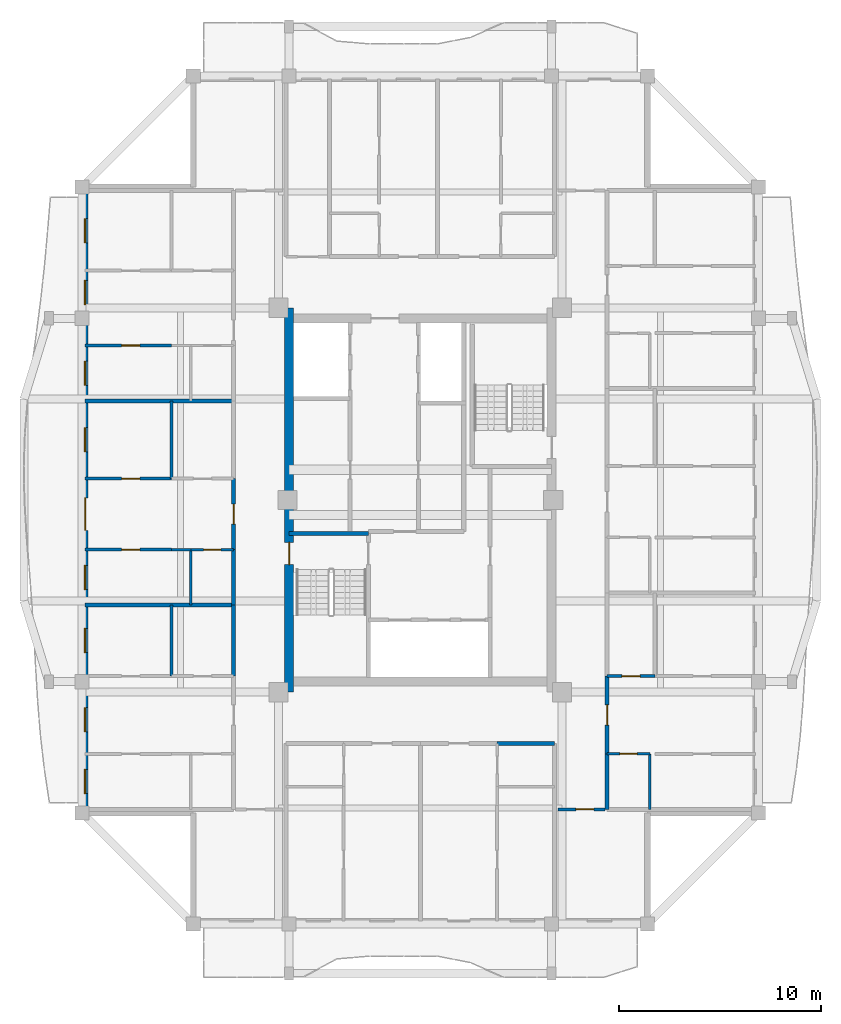
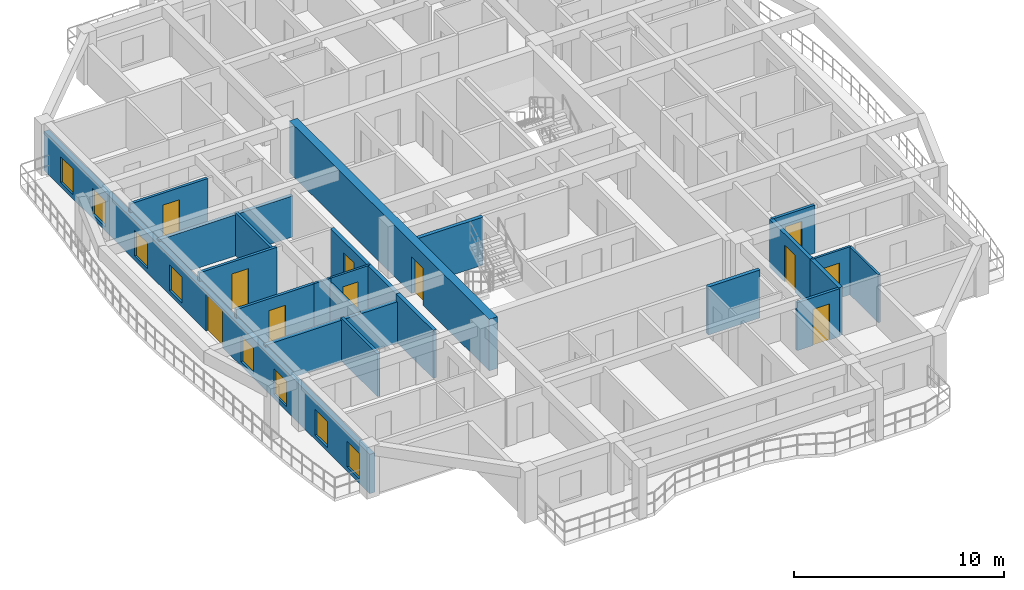
# One storey, part 3 of 13: 23 walls, 11 doors, 8 windows, 19 openings.
"""IFC4 building model written with IfcOpenShell, lengths in metres."""

from ifc_helpers import new_model, si_unit, direction, frame, frame_2d, origin, place, context, subcontext, project, spatial, rectangle, extrude, source, transform, mapped, material, layer, layer_set, type_object, element, fill, save


model = new_model("IFC4")

# Units and contexts
model_context = context("Model", 3, precision=1e-05, world=origin(), true_north=direction((0.0, 1.0)))
body_context = subcontext(model_context, "Body", "Model", "MODEL_VIEW")
ifc_project = project(units=[si_unit("LENGTHUNIT", "METRE"), si_unit("AREAUNIT", "SQUARE_METRE"), si_unit("VOLUMEUNIT", "CUBIC_METRE"), si_unit("PLANEANGLEUNIT", "RADIAN"), si_unit("MASSUNIT", "GRAM", prefix="KILO")], contexts=[model_context])

# Site, building, storey
site_placement = place(None, origin())
site = spatial("IfcSite", under=ifc_project, at=site_placement, CompositionType="ELEMENT")
building_placement = place(site_placement, origin())
building = spatial("IfcBuilding", under=site, at=building_placement, Name="Saelheon Loggia Tower", CompositionType="ELEMENT")
storey_placement = place(building_placement, frame((0.0, 0.0, 223.199951171875)))
storey = spatial("IfcBuildingStorey", under=building, at=storey_placement, Name="L69", CompositionType="ELEMENT", Elevation=223.199951171875)

# Wall, opening, door
ifc_material_1 = material(Name="Concrete C45/55", Category="concrete")
ifc_layer_1 = layer(ifc_material_1, 0.449951171875)
ifc_layer_set_1 = layer_set([ifc_layer_1], Name="Concrete C45/55")
wall_type_1 = type_object("IfcWallType", Name="Wall_CoreShear_450", PredefinedType="SHEAR", material=ifc_layer_set_1)
wall_1_placement = place(storey_placement, frame((31.5, 17.47998046875, 0.0), z_axis=(0.0, 0.0, 1.0), x_axis=(0.0, 1.0, 0.0)))
wall_1 = element("IfcWall", 1, at=wall_1_placement, inside=storey, type_object=wall_type_1, Name="L69 Core Shear Wall West", PredefinedType="SHEAR", context=body_context, shape_type="SweptSolid", body=[
    extrude(rectangle(XDim=19.0400390625, YDim=0.449951171875, at=frame_2d((9.52001953125, 0.0))), origin(), (0.0, 0.0, 1.0), 3.0),
])
opening_1_placement = place(wall_1_placement, frame((6.320068359375, 0.0, 0.0)))
opening_1 = element("IfcOpeningElement", 2, at=opening_1_placement, cuts=wall_1, Name="Opening D-FD2", PredefinedType="OPENING", context=body_context, shape_type="SweptSolid", body=[
    extrude(rectangle(XDim=1.10009765625, YDim=2.14990234375, at=frame_2d((0.550048828125, 1.074951171875))), frame((0.0, 0.237060546875, 0.0), z_axis=(0.0, -1.0, 0.0), x_axis=(1.0, 0.0, 0.0)), (0.0, 0.0, 1.0), 0.473876953125),
])
ifc_material_2 = material(Name="Galvanised Steel Fire Door", Category="steel")
door_type_1 = type_object("IfcDoorType", Name="Door_Fire_FD60_1100", OperationType="NOTDEFINED", PredefinedType="DOOR", material=ifc_material_2)
shared_shape_1 = source(origin(), body_context, "Body", "SweptSolid", [
    extrude(rectangle(XDim=1.10009765625, YDim=2.14990234375, at=frame_2d((0.550048828125, 1.074951171875))), frame((0.0, 0.02490234375, 0.0), z_axis=(0.0, -1.0, 0.0), x_axis=(1.0, 0.0, 0.0)), (0.0, 0.0, 1.0), 0.050048828125),
])
door_1_placement = place(opening_1_placement, origin())
door_1 = element("IfcDoor", 3, at=door_1_placement, inside=storey, type_object=door_type_1, Name="L69 Stair ST1 Corridor Door", OperationType="SINGLE_SWING_LEFT", OverallHeight=2.14990234375, OverallWidth=1.10009765625, PredefinedType="DOOR", context=body_context, shape_type="MappedRepresentation", body=[
    mapped(shared_shape_1, transform((0.0, 0.0, 0.0), scale=1.0)),
])
fill(opening_1, door_1)

# Wall, openings, windows, door
ifc_material_3 = material(Name="Architectural Precast Concrete C40/50", Category="concrete")
ifc_layer_2 = layer(ifc_material_3, 0.280029296875)
ifc_layer_set_2 = layer_set([ifc_layer_2], Name="Architectural Precast Concrete C40/50")
wall_type_2 = type_object("IfcWallType", Name="Wall_Ext_Loggia_280", PredefinedType="SOLIDWALL", material=ifc_layer_set_2)
wall_2_placement = place(storey_placement, frame((21.389892578125, 11.5, 0.0), z_axis=(0.0, 0.0, 1.0), x_axis=(0.0, 1.0, 0.0)))
wall_2 = element("IfcWall", 4, at=wall_2_placement, inside=storey, type_object=wall_type_2, Name="L69 West Loggia Inner Wall", PredefinedType="SOLIDWALL", context=body_context, shape_type="SweptSolid", body=[
    extrude(rectangle(XDim=31.0, YDim=0.280029296875, at=frame_2d((15.5, 0.0))), origin(), (0.0, 0.0, 1.0), 2.280029296875),
])
opening_2_placement = place(wall_2_placement, frame((0.9599609375, 0.0, 0.25)))
opening_2 = element("IfcOpeningElement", 5, at=opening_2_placement, cuts=wall_2, Name="Opening WN-03", PredefinedType="OPENING", context=body_context, shape_type="SweptSolid", body=[
    extrude(rectangle(XDim=1.199951171875, YDim=1.5, at=frame_2d((0.60009765625, 0.75))), frame((0.0, 0.152099609375, 0.0), z_axis=(0.0, -1.0, 0.0), x_axis=(1.0, 0.0, 0.0)), (0.0, 0.0, 1.0), 0.303955078125),
])
opening_3_placement = place(wall_2_placement, frame((4.02001953125, 0.0, 0.25)))
opening_3 = element("IfcOpeningElement", 6, at=opening_3_placement, cuts=wall_2, Name="Opening WN-03", PredefinedType="OPENING", context=body_context, shape_type="SweptSolid", body=[
    extrude(rectangle(XDim=1.199951171875, YDim=1.5, at=frame_2d((0.60009765625, 0.75))), frame((0.0, 0.152099609375, 0.0), z_axis=(0.0, -1.0, 0.0), x_axis=(1.0, 0.0, 0.0)), (0.0, 0.0, 1.0), 0.303955078125),
])
opening_4_placement = place(wall_2_placement, frame((7.935546875, 0.0, 0.25)))
opening_4 = element("IfcOpeningElement", 7, at=opening_4_placement, cuts=wall_2, Name="Opening WN-03", PredefinedType="OPENING", context=body_context, shape_type="SweptSolid", body=[
    extrude(rectangle(XDim=1.199951171875, YDim=1.5, at=frame_2d((0.60009765625, 0.75))), frame((0.0, 0.152099609375, 0.0), z_axis=(0.0, -1.0, 0.0), x_axis=(1.0, 0.0, 0.0)), (0.0, 0.0, 1.0), 0.303955078125),
])
opening_5_placement = place(wall_2_placement, frame((11.066162109375, 0.0, 0.25)))
opening_5 = element("IfcOpeningElement", 8, at=opening_5_placement, cuts=wall_2, Name="Opening WN-03", PredefinedType="OPENING", context=body_context, shape_type="SweptSolid", body=[
    extrude(rectangle(XDim=1.199951171875, YDim=1.5, at=frame_2d((0.60009765625, 0.75))), frame((0.0, 0.152099609375, 0.0), z_axis=(0.0, -1.0, 0.0), x_axis=(1.0, 0.0, 0.0)), (0.0, 0.0, 1.0), 0.303955078125),
])
opening_6_placement = place(wall_2_placement, frame((14.00048828125, 0.0, 0.0)))
opening_6 = element("IfcOpeningElement", 9, at=opening_6_placement, cuts=wall_2, Name="Opening DLG-1", PredefinedType="OPENING", context=body_context, shape_type="SweptSolid", body=[
    extrude(rectangle(XDim=1.60009765625, YDim=2.14990234375, at=frame_2d((0.800048828125, 1.074951171875))), frame((0.0, 0.152099609375, 0.0), z_axis=(0.0, -1.0, 0.0), x_axis=(1.0, 0.0, 0.0)), (0.0, 0.0, 1.0), 0.303955078125),
])
opening_7_placement = place(wall_2_placement, frame((17.881103515625, 0.0, 0.25)))
opening_7 = element("IfcOpeningElement", 10, at=opening_7_placement, cuts=wall_2, Name="Opening WN-03", PredefinedType="OPENING", context=body_context, shape_type="SweptSolid", body=[
    extrude(rectangle(XDim=1.199951171875, YDim=1.5, at=frame_2d((0.60009765625, 0.75))), frame((0.0, 0.152099609375, 0.0), z_axis=(0.0, -1.0, 0.0), x_axis=(1.0, 0.0, 0.0)), (0.0, 0.0, 1.0), 0.303955078125),
])
opening_8_placement = place(wall_2_placement, frame((21.177490234375, 0.0, 0.25)))
opening_8 = element("IfcOpeningElement", 11, at=opening_8_placement, cuts=wall_2, Name="Opening WN-03", PredefinedType="OPENING", context=body_context, shape_type="SweptSolid", body=[
    extrude(rectangle(XDim=1.199951171875, YDim=1.5, at=frame_2d((0.60009765625, 0.75))), frame((0.0, 0.152099609375, 0.0), z_axis=(0.0, -1.0, 0.0), x_axis=(1.0, 0.0, 0.0)), (0.0, 0.0, 1.0), 0.303955078125),
])
opening_9_placement = place(wall_2_placement, frame((25.175537109375, 0.0, 0.25)))
opening_9 = element("IfcOpeningElement", 12, at=opening_9_placement, cuts=wall_2, Name="Opening WN-03", PredefinedType="OPENING", context=body_context, shape_type="SweptSolid", body=[
    extrude(rectangle(XDim=1.199951171875, YDim=1.5, at=frame_2d((0.60009765625, 0.75))), frame((0.0, 0.152099609375, 0.0), z_axis=(0.0, -1.0, 0.0), x_axis=(1.0, 0.0, 0.0)), (0.0, 0.0, 1.0), 0.303955078125),
])
opening_10_placement = place(wall_2_placement, frame((28.235595703125, 0.0, 0.25)))
opening_10 = element("IfcOpeningElement", 13, at=opening_10_placement, cuts=wall_2, Name="Opening WN-03", PredefinedType="OPENING", context=body_context, shape_type="SweptSolid", body=[
    extrude(rectangle(XDim=1.199951171875, YDim=1.5, at=frame_2d((0.60009765625, 0.75))), frame((0.0, 0.152099609375, 0.0), z_axis=(0.0, -1.0, 0.0), x_axis=(1.0, 0.0, 0.0)), (0.0, 0.0, 1.0), 0.303955078125),
])
ifc_material_4 = material(Name="Thermal-Break Aluminium and Triple Low-E Glass", Category="aluminium")
window_type = type_object("IfcWindowType", Name="Win_Bedroom_1200x1500", PartitioningType="SINGLE_PANEL", PredefinedType="WINDOW", material=ifc_material_4)
shared_shape_2 = source(origin(), body_context, "Body", "SweptSolid", [
    extrude(rectangle(XDim=1.199951171875, YDim=1.5, at=frame_2d((0.60009765625, 0.75))), frame((0.0, 0.030029296875, 0.0), z_axis=(0.0, -1.0, 0.0), x_axis=(1.0, 0.0, 0.0)), (0.0, 0.0, 1.0), 0.06005859375),
])
window_1_placement = place(opening_2_placement, origin())
window_1 = element("IfcWindow", 14, at=window_1_placement, inside=storey, type_object=window_type, Name="L69 W Dwelling Window 1", OverallHeight=1.5, OverallWidth=1.199951171875, PartitioningType="SINGLE_PANEL", PredefinedType="WINDOW", context=body_context, shape_type="MappedRepresentation", body=[
    mapped(shared_shape_2, transform((0.0, 0.0, 0.0), scale=1.0)),
])
fill(opening_2, window_1)
window_2_placement = place(opening_3_placement, origin())
window_2 = element("IfcWindow", 15, at=window_2_placement, inside=storey, type_object=window_type, Name="L69 W Dwelling Window 2", OverallHeight=1.5, OverallWidth=1.199951171875, PartitioningType="SINGLE_PANEL", PredefinedType="WINDOW", context=body_context, shape_type="MappedRepresentation", body=[
    mapped(shared_shape_2, transform((0.0, 0.0, 0.0), scale=1.0)),
])
fill(opening_3, window_2)
window_3_placement = place(opening_4_placement, origin())
window_3 = element("IfcWindow", 16, at=window_3_placement, inside=storey, type_object=window_type, Name="L69 W Dwelling Window 3", OverallHeight=1.5, OverallWidth=1.199951171875, PartitioningType="SINGLE_PANEL", PredefinedType="WINDOW", context=body_context, shape_type="MappedRepresentation", body=[
    mapped(shared_shape_2, transform((0.0, 0.0, 0.0), scale=1.0)),
])
fill(opening_4, window_3)
window_4_placement = place(opening_5_placement, origin())
window_4 = element("IfcWindow", 17, at=window_4_placement, inside=storey, type_object=window_type, Name="L69 W Dwelling Window 4", OverallHeight=1.5, OverallWidth=1.199951171875, PartitioningType="SINGLE_PANEL", PredefinedType="WINDOW", context=body_context, shape_type="MappedRepresentation", body=[
    mapped(shared_shape_2, transform((0.0, 0.0, 0.0), scale=1.0)),
])
fill(opening_5, window_4)
window_5_placement = place(opening_7_placement, origin())
window_5 = element("IfcWindow", 18, at=window_5_placement, inside=storey, type_object=window_type, Name="L69 W Dwelling Window 6", OverallHeight=1.5, OverallWidth=1.199951171875, PartitioningType="SINGLE_PANEL", PredefinedType="WINDOW", context=body_context, shape_type="MappedRepresentation", body=[
    mapped(shared_shape_2, transform((0.0, 0.0, 0.0), scale=1.0)),
])
fill(opening_7, window_5)
window_6_placement = place(opening_8_placement, origin())
window_6 = element("IfcWindow", 19, at=window_6_placement, inside=storey, type_object=window_type, Name="L69 W Dwelling Window 7", OverallHeight=1.5, OverallWidth=1.199951171875, PartitioningType="SINGLE_PANEL", PredefinedType="WINDOW", context=body_context, shape_type="MappedRepresentation", body=[
    mapped(shared_shape_2, transform((0.0, 0.0, 0.0), scale=1.0)),
])
fill(opening_8, window_6)
window_7_placement = place(opening_9_placement, origin())
window_7 = element("IfcWindow", 20, at=window_7_placement, inside=storey, type_object=window_type, Name="L69 W Dwelling Window 8", OverallHeight=1.5, OverallWidth=1.199951171875, PartitioningType="SINGLE_PANEL", PredefinedType="WINDOW", context=body_context, shape_type="MappedRepresentation", body=[
    mapped(shared_shape_2, transform((0.0, 0.0, 0.0), scale=1.0)),
])
fill(opening_9, window_7)
window_8_placement = place(opening_10_placement, origin())
window_8 = element("IfcWindow", 21, at=window_8_placement, inside=storey, type_object=window_type, Name="L69 W Dwelling Window 9", OverallHeight=1.5, OverallWidth=1.199951171875, PartitioningType="SINGLE_PANEL", PredefinedType="WINDOW", context=body_context, shape_type="MappedRepresentation", body=[
    mapped(shared_shape_2, transform((0.0, 0.0, 0.0), scale=1.0)),
])
fill(opening_10, window_8)
ifc_material_5 = material(Name="Thermal-Break Aluminium Sliding Glazed Door", Category="aluminium")
door_type_2 = type_object("IfcDoorType", Name="Door_LoggiaSlide_1600", OperationType="SLIDING_TO_LEFT", PredefinedType="DOOR", material=ifc_material_5)
shared_shape_3 = source(origin(), body_context, "Body", "SweptSolid", [
    extrude(rectangle(XDim=1.60009765625, YDim=2.14990234375, at=frame_2d((0.800048828125, 1.074951171875))), frame((0.0, 0.02490234375, 0.0), z_axis=(0.0, -1.0, 0.0), x_axis=(1.0, 0.0, 0.0)), (0.0, 0.0, 1.0), 0.050048828125),
])
door_2_placement = place(opening_6_placement, origin())
door_2 = element("IfcDoor", 22, at=door_2_placement, inside=storey, type_object=door_type_2, Name="L69 W Loggia Access Door", OperationType="SLIDING_TO_LEFT", OverallHeight=2.14990234375, OverallWidth=1.60009765625, PredefinedType="DOOR", context=body_context, shape_type="MappedRepresentation", body=[
    mapped(shared_shape_3, transform((0.0, 0.0, 0.0), scale=1.0)),
])
fill(opening_6, door_2)

# Wall, opening, door
ifc_material_6 = material(Name="Lightweight Autoclaved Aerated Concrete Block and Acoustic Gypsum", Category="concrete")
ifc_layer_3 = layer(ifc_material_6, 0.14990234375)
ifc_layer_set_3 = layer_set([ifc_layer_3], Name="Lightweight Autoclaved Aerated Concrete Block and Acoustic Gypsum")
wall_type_3 = type_object("IfcWallType", Name="Wall_Part_150", PredefinedType="PARTITIONING", material=ifc_layer_set_3)
wall_3_placement = place(storey_placement, frame((44.820068359375, 11.679931640625, 0.0), z_axis=(0.0, 0.0, 1.0), x_axis=(1.0, 0.0, 0.0)))
wall_3 = element("IfcWall", 23, at=wall_3_placement, inside=storey, type_object=wall_type_3, Name="PW-L69-CSE-H", PredefinedType="PARTITIONING", context=body_context, shape_type="SweptSolid", body=[
    extrude(rectangle(XDim=2.329833984375, YDim=0.14990234375, at=frame_2d((1.1650390625, 0.0))), origin(), (0.0, 0.0, 1.0), 2.7900390625),
])
opening_11_placement = place(wall_3_placement, frame((0.8798828125, 0.0, 0.0)))
opening_11 = element("IfcOpeningElement", 24, at=opening_11_placement, cuts=wall_3, Name="Opening D-IN2", PredefinedType="OPENING", context=body_context, shape_type="SweptSolid", body=[
    extrude(rectangle(XDim=0.89990234375, YDim=2.10009765625, at=frame_2d((0.449951171875, 1.050048828125))), frame((0.0, 0.0869140625, 0.0), z_axis=(0.0, -1.0, 0.0), x_axis=(1.0, 0.0, 0.0)), (0.0, 0.0, 1.0), 0.173828125),
])
ifc_material_7 = material(Name="Engineered Oak Flush Door", Category="timber")
door_type_3 = type_object("IfcDoorType", Name="Door_Int_900", OperationType="NOTDEFINED", PredefinedType="DOOR", material=ifc_material_7)
shared_shape_4 = source(origin(), body_context, "Body", "SweptSolid", [
    extrude(rectangle(XDim=0.89990234375, YDim=2.10009765625, at=frame_2d((0.449951171875, 1.050048828125))), frame((0.0, 0.02490234375, 0.0), z_axis=(0.0, -1.0, 0.0), x_axis=(1.0, 0.0, 0.0)), (0.0, 0.0, 1.0), 0.050048828125),
])
door_3_placement = place(opening_11_placement, origin())
door_3 = element("IfcDoor", 25, at=door_3_placement, inside=storey, type_object=door_type_3, Name="L69 Corner Reading Room SE Door", OperationType="SINGLE_SWING_RIGHT", OverallHeight=2.10009765625, OverallWidth=0.89990234375, PredefinedType="DOOR", context=body_context, shape_type="MappedRepresentation", body=[
    mapped(shared_shape_4, transform((0.0, 0.0, 0.0), scale=1.0)),
])
fill(opening_11, door_3)

# Walls
wall_4_placement = place(storey_placement, frame((25.669921875, 18.280029296875, 0.0), z_axis=(0.0, 0.0, 1.0), x_axis=(0.0, 1.0, 0.0)))
element("IfcWall", 26, at=wall_4_placement, inside=storey, type_object=wall_type_3, Name="L69 W Partition V07", PredefinedType="PARTITIONING", context=body_context, shape_type="SweptSolid", body=[
    extrude(rectangle(XDim=3.51123046875, YDim=0.14990234375, at=frame_2d((1.755615234375, 0.0))), origin(), (0.0, 0.0, 1.0), 2.489990234375),
])
wall_5_placement = place(storey_placement, frame((25.669921875, 28.06005859375, 0.0), z_axis=(0.0, 0.0, 1.0), x_axis=(0.0, 1.0, 0.0)))
element("IfcWall", 27, at=wall_5_placement, inside=storey, type_object=wall_type_3, Name="L69 W Partition V18", PredefinedType="PARTITIONING", context=body_context, shape_type="SweptSolid", body=[
    extrude(rectangle(XDim=3.84228515625, YDim=0.14990234375, at=frame_2d((1.921142578125, 0.0))), origin(), (0.0, 0.0, 1.0), 2.489990234375),
])

# Wall, opening, door
wall_6_placement = place(storey_placement, frame((25.669921875, 24.541259765625, 0.0), z_axis=(0.0, 0.0, 1.0), x_axis=(-1.0, 0.0, 0.0)))
wall_6 = element("IfcWall", 28, at=wall_6_placement, inside=storey, type_object=wall_type_3, Name="L69 W Partition U21", PredefinedType="PARTITIONING", context=body_context, shape_type="SweptSolid", body=[
    extrude(rectangle(XDim=4.27001953125, YDim=0.14990234375, at=frame_2d((2.135009765625, 0.0))), origin(), (0.0, 0.0, 1.0), 2.7900390625),
])
opening_12_placement = place(wall_6_placement, frame((1.564697265625, 0.0, 0.0)))
opening_12 = element("IfcOpeningElement", 29, at=opening_12_placement, cuts=wall_6, Name="Opening D-IN2", PredefinedType="OPENING", context=body_context, shape_type="SweptSolid", body=[
    extrude(rectangle(XDim=0.89990234375, YDim=2.10009765625, at=frame_2d((0.449951171875, 1.050048828125))), frame((0.0, 0.0869140625, 0.0), z_axis=(0.0, -1.0, 0.0), x_axis=(1.0, 0.0, 0.0)), (0.0, 0.0, 1.0), 0.173828125),
])
door_4_placement = place(opening_12_placement, origin())
door_4 = element("IfcDoor", 30, at=door_4_placement, inside=storey, type_object=door_type_3, Name="Unit U06 Kitchen Door", OperationType="SINGLE_SWING_RIGHT", OverallHeight=2.10009765625, OverallWidth=0.89990234375, PredefinedType="DOOR", context=body_context, shape_type="MappedRepresentation", body=[
    mapped(shared_shape_4, transform((0.0, 0.0, 0.0), scale=1.0)),
])
fill(opening_12, door_4)

wall_7_placement = place(storey_placement, frame((25.669921875, 28.06005859375, 0.0), z_axis=(0.0, 0.0, 1.0), x_axis=(-1.0, 0.0, 0.0)))
wall_7 = element("IfcWall", 31, at=wall_7_placement, inside=storey, type_object=wall_type_3, Name="L69 W Partition U23", PredefinedType="PARTITIONING", context=body_context, shape_type="SweptSolid", body=[
    extrude(rectangle(XDim=4.27001953125, YDim=0.14990234375, at=frame_2d((2.135009765625, 0.0))), origin(), (0.0, 0.0, 1.0), 2.7900390625),
])
opening_13_placement = place(wall_7_placement, frame((1.564697265625, 0.0, 0.0)))
opening_13 = element("IfcOpeningElement", 32, at=opening_13_placement, cuts=wall_7, Name="Opening D-IN2", PredefinedType="OPENING", context=body_context, shape_type="SweptSolid", body=[
    extrude(rectangle(XDim=0.89990234375, YDim=2.10009765625, at=frame_2d((0.449951171875, 1.050048828125))), frame((0.0, 0.0869140625, 0.0), z_axis=(0.0, -1.0, 0.0), x_axis=(1.0, 0.0, 0.0)), (0.0, 0.0, 1.0), 0.173828125),
])
door_5_placement = place(opening_13_placement, origin())
door_5 = element("IfcDoor", 33, at=door_5_placement, inside=storey, type_object=door_type_3, Name="Unit U06 Bedroom 1 Door", OperationType="SINGLE_SWING_RIGHT", OverallHeight=2.10009765625, OverallWidth=0.89990234375, PredefinedType="DOOR", context=body_context, shape_type="MappedRepresentation", body=[
    mapped(shared_shape_4, transform((0.0, 0.0, 0.0), scale=1.0)),
])
fill(opening_13, door_5)

wall_8_placement = place(storey_placement, frame((25.669921875, 34.65234375, 0.0), z_axis=(0.0, 0.0, 1.0), x_axis=(-1.0, 0.0, 0.0)))
wall_8 = element("IfcWall", 34, at=wall_8_placement, inside=storey, type_object=wall_type_3, Name="L69 W Partition U32", PredefinedType="PARTITIONING", context=body_context, shape_type="SweptSolid", body=[
    extrude(rectangle(XDim=4.27001953125, YDim=0.14990234375, at=frame_2d((2.135009765625, 0.0))), origin(), (0.0, 0.0, 1.0), 2.7900390625),
])
opening_14_placement = place(wall_8_placement, frame((1.564697265625, 0.0, 0.0)))
opening_14 = element("IfcOpeningElement", 35, at=opening_14_placement, cuts=wall_8, Name="Opening D-IN2", PredefinedType="OPENING", context=body_context, shape_type="SweptSolid", body=[
    extrude(rectangle(XDim=0.89990234375, YDim=2.10009765625, at=frame_2d((0.449951171875, 1.050048828125))), frame((0.0, 0.0869140625, 0.0), z_axis=(0.0, -1.0, 0.0), x_axis=(1.0, 0.0, 0.0)), (0.0, 0.0, 1.0), 0.173828125),
])
door_6_placement = place(opening_14_placement, origin())
door_6 = element("IfcDoor", 36, at=door_6_placement, inside=storey, type_object=door_type_3, Name="Unit U07 Kitchen Door", OperationType="SINGLE_SWING_LEFT", OverallHeight=2.10009765625, OverallWidth=0.89990234375, PredefinedType="DOOR", context=body_context, shape_type="MappedRepresentation", body=[
    mapped(shared_shape_4, transform((0.0, 0.0, 0.0), scale=1.0)),
])
fill(opening_14, door_6)

wall_9_placement = place(storey_placement, frame((47.25, 18.280029296875, 0.0), z_axis=(0.0, 0.0, 1.0), x_axis=(1.0, 0.0, 0.0)))
wall_9 = element("IfcWall", 37, at=wall_9_placement, inside=storey, type_object=wall_type_3, Name="L69 E Partition U10", PredefinedType="PARTITIONING", context=body_context, shape_type="SweptSolid", body=[
    extrude(rectangle(XDim=2.360107421875, YDim=0.14990234375, at=frame_2d((1.18017578125, 0.0))), origin(), (0.0, 0.0, 1.0), 2.7900390625),
])
opening_15_placement = place(wall_9_placement, frame((0.72998046875, 0.0, 0.0)))
opening_15 = element("IfcOpeningElement", 38, at=opening_15_placement, cuts=wall_9, Name="Opening D-IN2", PredefinedType="OPENING", context=body_context, shape_type="SweptSolid", body=[
    extrude(rectangle(XDim=0.89990234375, YDim=2.10009765625, at=frame_2d((0.449951171875, 1.050048828125))), frame((0.0, 0.0869140625, 0.0), z_axis=(0.0, -1.0, 0.0), x_axis=(1.0, 0.0, 0.0)), (0.0, 0.0, 1.0), 0.173828125),
])
door_7_placement = place(opening_15_placement, origin())
door_7 = element("IfcDoor", 39, at=door_7_placement, inside=storey, type_object=door_type_3, Name="Unit U08 Dressing Closet Door", OperationType="SINGLE_SWING_LEFT", OverallHeight=2.10009765625, OverallWidth=0.89990234375, PredefinedType="DOOR", context=body_context, shape_type="MappedRepresentation", body=[
    mapped(shared_shape_4, transform((0.0, 0.0, 0.0), scale=1.0)),
])
fill(opening_15, door_7)

# Walls
ifc_material_8 = material(Name="Double Acoustic Stud and Fireboard Partition", Category="gypsum")
ifc_layer_4 = layer(ifc_material_8, 0.199951171875)
ifc_layer_set_4 = layer_set([ifc_layer_4], Name="Double Acoustic Stud and Fireboard Partition")
wall_type_4 = type_object("IfcWallType", Name="Wall_Party_200", PredefinedType="PARTITIONING", material=ifc_layer_set_4)
wall_10_placement = place(storey_placement, frame((41.800048828125, 14.949951171875, 0.0), z_axis=(0.0, 0.0, 1.0), x_axis=(1.0, 0.0, 0.0)))
element("IfcWall", 40, at=wall_10_placement, inside=storey, type_object=wall_type_4, Name="L69 S Partition V11", PredefinedType="PARTITIONING", context=body_context, shape_type="SweptSolid", body=[
    extrude(rectangle(XDim=2.849853515625, YDim=0.199951171875, at=frame_2d((1.4248046875, 0.0))), origin(), (0.0, 0.0, 1.0), 2.7900390625),
])
wall_11_placement = place(storey_placement, frame((28.75, 18.280029296875, 0.0), z_axis=(0.0, 0.0, 1.0), x_axis=(0.0, 1.0, 0.0)))
element("IfcWall", 41, at=wall_11_placement, inside=storey, type_object=wall_type_4, Name="L69 W Partition V05", PredefinedType="PARTITIONING", context=body_context, shape_type="SweptSolid", body=[
    extrude(rectangle(XDim=3.51123046875, YDim=0.199951171875, at=frame_2d((1.755615234375, 0.0))), origin(), (0.0, 0.0, 1.0), 2.7900390625),
])
wall_12_placement = place(storey_placement, frame((28.75, 21.791259765625, 0.0), z_axis=(0.0, 0.0, 1.0), x_axis=(-1.0, 0.0, 0.0)))
element("IfcWall", 42, at=wall_12_placement, inside=storey, type_object=wall_type_4, Name="L69 W Partition U13", PredefinedType="PARTITIONING", context=body_context, shape_type="SweptSolid", body=[
    extrude(rectangle(XDim=7.35009765625, YDim=0.199951171875, at=frame_2d((3.675048828125, 0.0))), origin(), (0.0, 0.0, 1.0), 2.39013671875),
])
wall_13_placement = place(storey_placement, frame((28.75, 21.791259765625, 0.0), z_axis=(0.0, 0.0, 1.0), x_axis=(0.0, 1.0, 0.0)))
element("IfcWall", 43, at=wall_13_placement, inside=storey, type_object=wall_type_4, Name="L69 W Partition V14", PredefinedType="PARTITIONING", context=body_context, shape_type="SweptSolid", body=[
    extrude(rectangle(XDim=2.75, YDim=0.199951171875, at=frame_2d((1.375, 0.0))), origin(), (0.0, 0.0, 1.0), 2.7900390625),
])

# Wall, opening, door
wall_14_placement = place(storey_placement, frame((28.75, 24.541259765625, 0.0), z_axis=(0.0, 0.0, 1.0), x_axis=(0.0, 1.0, 0.0)))
wall_14 = element("IfcWall", 44, at=wall_14_placement, inside=storey, type_object=wall_type_4, Name="L69 W Partition V15", PredefinedType="PARTITIONING", context=body_context, shape_type="SweptSolid", body=[
    extrude(rectangle(XDim=3.518798828125, YDim=0.199951171875, at=frame_2d((1.75927734375, 0.0))), origin(), (0.0, 0.0, 1.0), 2.7900390625),
])
opening_16_placement = place(wall_14_placement, frame((1.259521484375, 0.0, 0.0)))
opening_16 = element("IfcOpeningElement", 45, at=opening_16_placement, cuts=wall_14, Name="Opening D-FD1", PredefinedType="OPENING", context=body_context, shape_type="SweptSolid", body=[
    extrude(rectangle(XDim=1.0, YDim=2.14990234375, at=frame_2d((0.5, 1.074951171875))), frame((0.0, 0.112060546875, 0.0), z_axis=(0.0, -1.0, 0.0), x_axis=(1.0, 0.0, 0.0)), (0.0, 0.0, 1.0), 0.223876953125),
])
ifc_material_9 = material(Name="Fire-Rated Engineered Timber Entrance Door", Category="wood")
door_type_4 = type_object("IfcDoorType", Name="Door_Flat_FD30S", OperationType="NOTDEFINED", PredefinedType="DOOR", material=ifc_material_9)
shared_shape_5 = source(origin(), body_context, "Body", "SweptSolid", [
    extrude(rectangle(XDim=1.0, YDim=2.14990234375, at=frame_2d((0.5, 1.074951171875))), frame((0.0, 0.02490234375, 0.0), z_axis=(0.0, -1.0, 0.0), x_axis=(1.0, 0.0, 0.0)), (0.0, 0.0, 1.0), 0.050048828125),
])
door_8_placement = place(opening_16_placement, origin())
door_8 = element("IfcDoor", 46, at=door_8_placement, inside=storey, type_object=door_type_4, Name="Unit U06 Entrance Door", OperationType="SINGLE_SWING_RIGHT", OverallHeight=2.14990234375, OverallWidth=1.0, PredefinedType="DOOR", context=body_context, shape_type="MappedRepresentation", body=[
    mapped(shared_shape_5, transform((0.0, 0.0, 0.0), scale=1.0)),
])
fill(opening_16, door_8)

# Walls
wall_15_placement = place(storey_placement, frame((28.75, 31.90234375, 0.0), z_axis=(0.0, 0.0, 1.0), x_axis=(-1.0, 0.0, 0.0)))
element("IfcWall", 47, at=wall_15_placement, inside=storey, type_object=wall_type_4, Name="L69 W Partition U24", PredefinedType="PARTITIONING", context=body_context, shape_type="SweptSolid", body=[
    extrude(rectangle(XDim=7.35009765625, YDim=0.199951171875, at=frame_2d((3.675048828125, 0.0))), origin(), (0.0, 0.0, 1.0), 2.39013671875),
])
wall_16_placement = place(storey_placement, frame((47.25, 11.679931640625, 0.0), z_axis=(0.0, 0.0, 1.0), x_axis=(0.0, 1.0, 0.0)))
element("IfcWall", 48, at=wall_16_placement, inside=storey, type_object=wall_type_4, Name="L69 E Partition V03", PredefinedType="PARTITIONING", context=body_context, shape_type="SweptSolid", body=[
    extrude(rectangle(XDim=2.75, YDim=0.199951171875, at=frame_2d((1.375, 0.0))), origin(), (0.0, 0.0, 1.0), 2.7900390625),
])

# Wall, opening, door
wall_17_placement = place(storey_placement, frame((47.25, 14.429931640625, 0.0), z_axis=(0.0, 0.0, 1.0), x_axis=(0.0, 1.0, 0.0)))
wall_17 = element("IfcWall", 49, at=wall_17_placement, inside=storey, type_object=wall_type_4, Name="L69 E Partition V04", PredefinedType="PARTITIONING", context=body_context, shape_type="SweptSolid", body=[
    extrude(rectangle(XDim=3.85009765625, YDim=0.199951171875, at=frame_2d((1.925048828125, 0.0))), origin(), (0.0, 0.0, 1.0), 2.7900390625),
])
opening_17_placement = place(wall_17_placement, frame((1.425048828125, 0.0, 0.0)))
opening_17 = element("IfcOpeningElement", 50, at=opening_17_placement, cuts=wall_17, Name="Opening D-FD1", PredefinedType="OPENING", context=body_context, shape_type="SweptSolid", body=[
    extrude(rectangle(XDim=1.0, YDim=2.14990234375, at=frame_2d((0.5, 1.074951171875))), frame((0.0, 0.112060546875, 0.0), z_axis=(0.0, -1.0, 0.0), x_axis=(1.0, 0.0, 0.0)), (0.0, 0.0, 1.0), 0.223876953125),
])
door_9_placement = place(opening_17_placement, origin())
door_9 = element("IfcDoor", 51, at=door_9_placement, inside=storey, type_object=door_type_4, Name="Unit U08 Entrance Door", OperationType="SINGLE_SWING_RIGHT", OverallHeight=2.14990234375, OverallWidth=1.0, PredefinedType="DOOR", context=body_context, shape_type="MappedRepresentation", body=[
    mapped(shared_shape_5, transform((0.0, 0.0, 0.0), scale=1.0)),
])
fill(opening_17, door_9)

# Walls
ifc_layer_5 = layer(ifc_material_1, 0.199951171875)
ifc_layer_set_5 = layer_set([ifc_layer_5], Name="Concrete C45/55")
wall_type_5 = type_object("IfcWallType", Name="Wall_StairShaft_RC200", PredefinedType="SOLIDWALL", material=ifc_layer_set_5)
wall_18_placement = place(storey_placement, frame((31.5, 25.35009765625, 0.0), z_axis=(0.0, 0.0, 1.0), x_axis=(1.0, 0.0, 0.0)))
element("IfcWall", 52, at=wall_18_placement, inside=storey, type_object=wall_type_5, Name="L69 Stair ST1 North Wall", PredefinedType="SOLIDWALL", context=body_context, shape_type="SweptSolid", body=[
    extrude(rectangle(XDim=3.929931640625, YDim=0.199951171875, at=frame_2d((1.96484375, 0.0))), origin(), (0.0, 0.0, 1.0), 2.7900390625),
])
ifc_material_10 = material(Name="Moisture-Resistant Cement Board Partition", Category="gypsum")
ifc_layer_6 = layer(ifc_material_10, 0.1201171875)
ifc_layer_set_6 = layer_set([ifc_layer_6], Name="Moisture-Resistant Cement Board Partition")
wall_type_6 = type_object("IfcWallType", Name="Wall_WetPart_120", PredefinedType="PARTITIONING", material=ifc_layer_set_6)
wall_19_placement = place(storey_placement, frame((26.6298828125, 21.791259765625, 0.0), z_axis=(0.0, 0.0, 1.0), x_axis=(0.0, 1.0, 0.0)))
element("IfcWall", 53, at=wall_19_placement, inside=storey, type_object=wall_type_6, Name="L69 W Partition V17", PredefinedType="PARTITIONING", context=body_context, shape_type="SweptSolid", body=[
    extrude(rectangle(XDim=2.75, YDim=0.1201171875, at=frame_2d((1.375, 0.0))), origin(), (0.0, 0.0, 1.0), 2.489990234375),
])

# Wall, opening, door
wall_20_placement = place(storey_placement, frame((28.75, 24.541259765625, 0.0), z_axis=(0.0, 0.0, 1.0), x_axis=(-1.0, 0.0, 0.0)))
wall_20 = element("IfcWall", 54, at=wall_20_placement, inside=storey, type_object=wall_type_6, Name="L69 W Partition U19", PredefinedType="PARTITIONING", context=body_context, shape_type="SweptSolid", body=[
    extrude(rectangle(XDim=2.1201171875, YDim=0.1201171875, at=frame_2d((1.06005859375, 0.0))), origin(), (0.0, 0.0, 1.0), 2.7900390625),
])
opening_18_placement = place(wall_20_placement, frame((0.635009765625, 0.0, 0.0)))
opening_18 = element("IfcOpeningElement", 55, at=opening_18_placement, cuts=wall_20, Name="Opening D-BT1", PredefinedType="OPENING", context=body_context, shape_type="SweptSolid", body=[
    extrude(rectangle(XDim=0.85009765625, YDim=2.050048828125, at=frame_2d((0.425048828125, 1.02490234375))), frame((0.0, 0.072021484375, 0.0), z_axis=(0.0, -1.0, 0.0), x_axis=(1.0, 0.0, 0.0)), (0.0, 0.0, 1.0), 0.14404296875),
])
ifc_material_11 = material(Name="Moisture-Resistant Laminate Timber Door", Category="wood")
door_type_5 = type_object("IfcDoorType", Name="Door_Bath_850", OperationType="NOTDEFINED", PredefinedType="DOOR", material=ifc_material_11)
shared_shape_6 = source(origin(), body_context, "Body", "SweptSolid", [
    extrude(rectangle(XDim=0.85009765625, YDim=2.050048828125, at=frame_2d((0.425048828125, 1.02490234375))), frame((0.0, 0.02490234375, 0.0), z_axis=(0.0, -1.0, 0.0), x_axis=(1.0, 0.0, 0.0)), (0.0, 0.0, 1.0), 0.050048828125),
])
door_10_placement = place(opening_18_placement, origin())
door_10 = element("IfcDoor", 56, at=door_10_placement, inside=storey, type_object=door_type_5, Name="Unit U06 Bathroom Door", OperationType="SINGLE_SWING_LEFT", OverallHeight=2.050048828125, OverallWidth=0.85009765625, PredefinedType="DOOR", context=body_context, shape_type="MappedRepresentation", body=[
    mapped(shared_shape_6, transform((0.0, 0.0, 0.0), scale=1.0)),
])
fill(opening_18, door_10)

# Walls
wall_21_placement = place(storey_placement, frame((26.6298828125, 24.541259765625, 0.0), z_axis=(0.0, 0.0, 1.0), x_axis=(-1.0, 0.0, 0.0)))
element("IfcWall", 57, at=wall_21_placement, inside=storey, type_object=wall_type_6, Name="L69 W Partition U20", PredefinedType="PARTITIONING", context=body_context, shape_type="SweptSolid", body=[
    extrude(rectangle(XDim=0.9599609375, YDim=0.1201171875, at=frame_2d((0.47998046875, 0.0))), origin(), (0.0, 0.0, 1.0), 2.7900390625),
])
wall_22_placement = place(storey_placement, frame((49.3701171875, 11.679931640625, 0.0), z_axis=(0.0, 0.0, 1.0), x_axis=(0.0, 1.0, 0.0)))
element("IfcWall", 58, at=wall_22_placement, inside=storey, type_object=wall_type_6, Name="L69 E Partition V06", PredefinedType="PARTITIONING", context=body_context, shape_type="SweptSolid", body=[
    extrude(rectangle(XDim=2.75, YDim=0.1201171875, at=frame_2d((1.375, 0.0))), origin(), (0.0, 0.0, 1.0), 2.7900390625),
])

# Wall, opening, door
wall_23_placement = place(storey_placement, frame((47.25, 14.429931640625, 0.0), z_axis=(0.0, 0.0, 1.0), x_axis=(1.0, 0.0, 0.0)))
wall_23 = element("IfcWall", 59, at=wall_23_placement, inside=storey, type_object=wall_type_6, Name="L69 E Partition U08", PredefinedType="PARTITIONING", context=body_context, shape_type="SweptSolid", body=[
    extrude(rectangle(XDim=2.1201171875, YDim=0.1201171875, at=frame_2d((1.06005859375, 0.0))), origin(), (0.0, 0.0, 1.0), 2.7900390625),
])
opening_19_placement = place(wall_23_placement, frame((0.635009765625, 0.0, 0.0)))
opening_19 = element("IfcOpeningElement", 60, at=opening_19_placement, cuts=wall_23, Name="Opening D-BT1", PredefinedType="OPENING", context=body_context, shape_type="SweptSolid", body=[
    extrude(rectangle(XDim=0.85009765625, YDim=2.050048828125, at=frame_2d((0.425048828125, 1.02490234375))), frame((0.0, 0.072021484375, 0.0), z_axis=(0.0, -1.0, 0.0), x_axis=(1.0, 0.0, 0.0)), (0.0, 0.0, 1.0), 0.14404296875),
])
door_11_placement = place(opening_19_placement, origin())
door_11 = element("IfcDoor", 61, at=door_11_placement, inside=storey, type_object=door_type_5, Name="Unit U08 Bathroom Door", OperationType="SINGLE_SWING_LEFT", OverallHeight=2.050048828125, OverallWidth=0.85009765625, PredefinedType="DOOR", context=body_context, shape_type="MappedRepresentation", body=[
    mapped(shared_shape_6, transform((0.0, 0.0, 0.0), scale=1.0)),
])
fill(opening_19, door_11)

save(model, "model.ifc")
